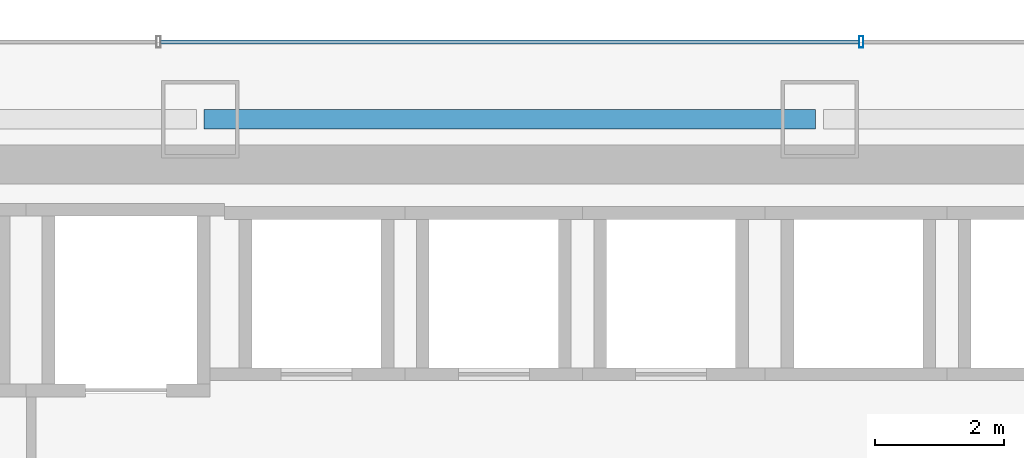
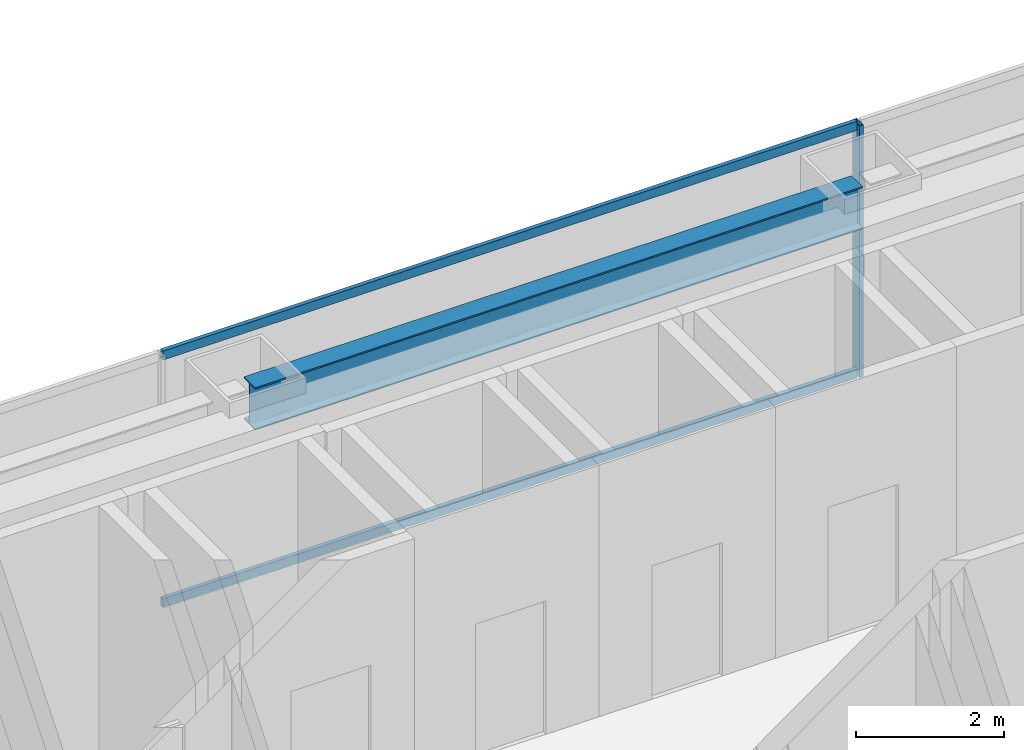
# One storey, part 28 of 47: 3 members, 1 beam, 1 element without a shape of its own.
"""IFC4 building model written with IfcOpenShell, lengths in metres."""

from ifc_helpers import new_model, si_unit, direction, frame, origin, origin_2d, place, context, subcontext, project, spatial, hollow_rectangle, i_section, extrude, material, material_profile, profile_set, type_object, element, aggregate, save


model = new_model("IFC4")

# Units and contexts
model_context = context("Model", 3, precision=1e-05, world=origin(), true_north=direction((0.0, 1.0)))
body_context = subcontext(model_context, "Body", "Model", "MODEL_VIEW")
ifc_project = project(units=[si_unit("LENGTHUNIT", "METRE"), si_unit("AREAUNIT", "SQUARE_METRE"), si_unit("VOLUMEUNIT", "CUBIC_METRE"), si_unit("PLANEANGLEUNIT", "RADIAN"), si_unit("MASSUNIT", "GRAM", prefix="KILO")], contexts=[model_context])

# Site, building, storey
site_placement = place(None, origin())
site = spatial("IfcSite", under=ifc_project, at=site_placement, CompositionType="ELEMENT")
building_placement = place(site_placement, origin())
building = spatial("IfcBuilding", under=site, at=building_placement, Name="Saevonmaru Cultural Tower", CompositionType="ELEMENT")
storey_placement = place(building_placement, frame((0.0, 0.0, 78.0)))
storey = spatial("IfcBuildingStorey", under=building, at=storey_placement, Name="L16", CompositionType="ELEMENT", Elevation=78.0)

# Beam
ifc_material_1 = material(Name="Steel SM355", Category="steel")
ifc_material_profile_1 = material_profile(ifc_material_1, i_section(OverallWidth=0.300048828125, OverallDepth=0.699951171875, WebThickness=0.012939453125, FlangeThickness=0.02392578125, FilletRadius=0.02587890625, at=origin_2d()), Name="H-700x300x13x24")
ifc_profile_set_1 = profile_set([ifc_material_profile_1], Name="Steel SM355")
beam_type = type_object("IfcBeamType", Name="BM-SP-H700", PredefinedType="SPANDREL", material=ifc_profile_set_1)
beam_placement = place(storey_placement, frame((25.260009765625, 54.800048828125, 3.800048828125), z_axis=(1.0, 0.0, 0.0), x_axis=(0.0, 1.0, 0.0)))
element("IfcBeam", 1, at=beam_placement, inside=storey, type_object=beam_type, Name="L16 North Spine Girder 3", PredefinedType="SPANDREL", context=body_context, shape_type="SweptSolid", body=[
    extrude(i_section(OverallWidth=0.300048828125, OverallDepth=0.699951171875, WebThickness=0.012939453125, FlangeThickness=0.02392578125, FilletRadius=0.02587890625, at=origin_2d()), origin(), (0.0, 0.0, 1.0), 9.47998046875),
])

# Curtain wall, members
ifc_material_2 = material(Name="Satin Bronze Anodised Aluminium", Category="aluminium")
curtain_wall_type = type_object("IfcCurtainWallType", Name="CW-TYP-A", PredefinedType="NOTDEFINED", material=ifc_material_2)
curtain_wall_placement = place(storey_placement, origin())
curtain_wall = element("IfcCurtainWall", 2, at=curtain_wall_placement, inside=storey, type_object=curtain_wall_type, Name="L16 North Spine Unitised Curtain Wall E10B", PredefinedType="NOTDEFINED")
ifc_material_profile_2 = material_profile(ifc_material_2, hollow_rectangle(XDim=0.06494140625, YDim=0.179931640625, WallThickness=0.00390625, at=origin_2d()), Name="ALU-MULL-180x65x4")
ifc_profile_set_2 = profile_set([ifc_material_profile_2], Name="Satin Bronze Anodised Aluminium")
member_type_1 = type_object("IfcMemberType", Name="ML-CW-180x65", PredefinedType="MULLION", material=ifc_profile_set_2)
member_1_placement = place(storey_placement, frame((35.44677734375, 56.0, 0.0), z_axis=(0.0, 0.0, 1.0), x_axis=(-1.0, 0.0, 0.0)))
member_1 = element("IfcMember", 3, at=member_1_placement, type_object=member_type_1, Name="CW-TW-L16-E10B mullion 2", PredefinedType="MULLION", context=body_context, shape_type="SweptSolid", body=[
    extrude(hollow_rectangle(XDim=0.06494140625, YDim=0.179931640625, WallThickness=0.00390625, at=origin_2d()), origin(), (0.0, 0.0, 1.0), 4.14990234375),
])
ifc_material_profile_3 = material_profile(ifc_material_2, hollow_rectangle(XDim=0.06494140625, YDim=0.14990234375, WallThickness=0.00390625, at=origin_2d()), Name="ALU-TRAN-150x65x4")
ifc_profile_set_3 = profile_set([ifc_material_profile_3], Name="Satin Bronze Anodised Aluminium")
member_type_2 = type_object("IfcMemberType", Name="TR-CW-150x65", PredefinedType="USERDEFINED", material=ifc_profile_set_3)
member_2_placement = place(storey_placement, frame((35.4140625, 56.0, 0.032470703125), z_axis=(-1.0, 0.0, 0.0), x_axis=(0.0, -1.0, 0.0)))
member_2 = element("IfcMember", 4, at=member_2_placement, type_object=member_type_2, Name="CW-TW-L16-E10B transom 2.1", ObjectType="TRANSOM", PredefinedType="USERDEFINED", context=body_context, shape_type="SweptSolid", body=[
    extrude(hollow_rectangle(XDim=0.06494140625, YDim=0.14990234375, WallThickness=0.00390625, at=origin_2d()), origin(), (0.0, 0.0, 1.0), 10.828125),
])
member_3_placement = place(storey_placement, frame((35.4140625, 56.0, 4.117431640625), z_axis=(-1.0, 0.0, 0.0), x_axis=(0.0, -1.0, 0.0)))
member_3 = element("IfcMember", 5, at=member_3_placement, type_object=member_type_2, Name="CW-TW-L16-E10B transom 2.2", ObjectType="TRANSOM", PredefinedType="USERDEFINED", context=body_context, shape_type="SweptSolid", body=[
    extrude(hollow_rectangle(XDim=0.06494140625, YDim=0.14990234375, WallThickness=0.00390625, at=origin_2d()), origin(), (0.0, 0.0, 1.0), 10.828125),
])
aggregate(curtain_wall, [member_1, member_2, member_3])

save(model, "model.ifc")
